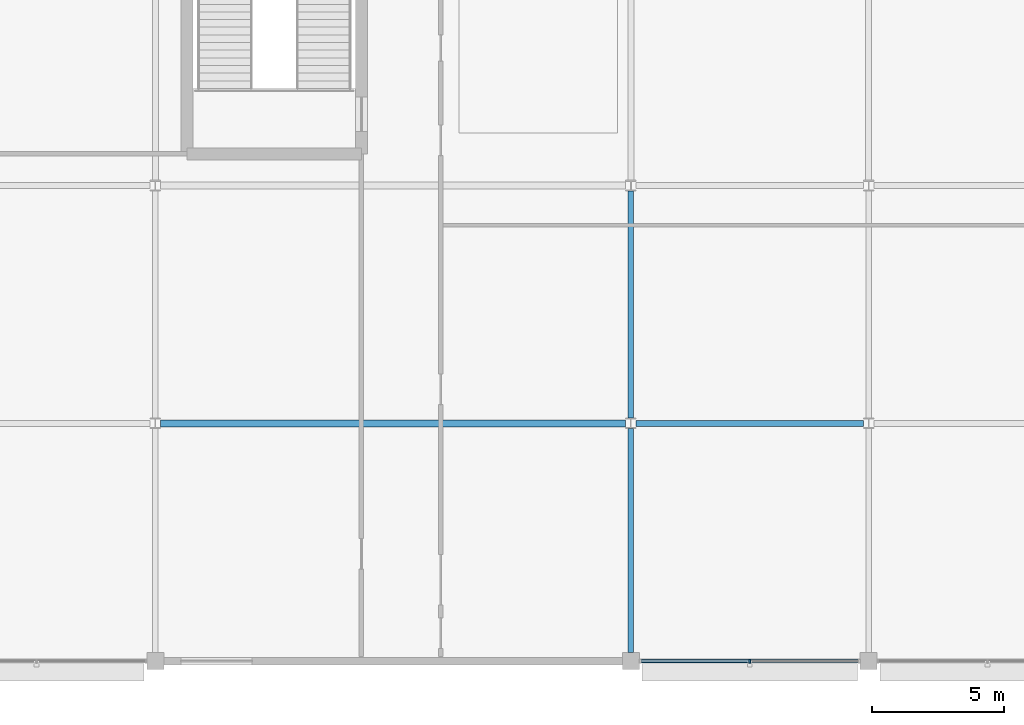
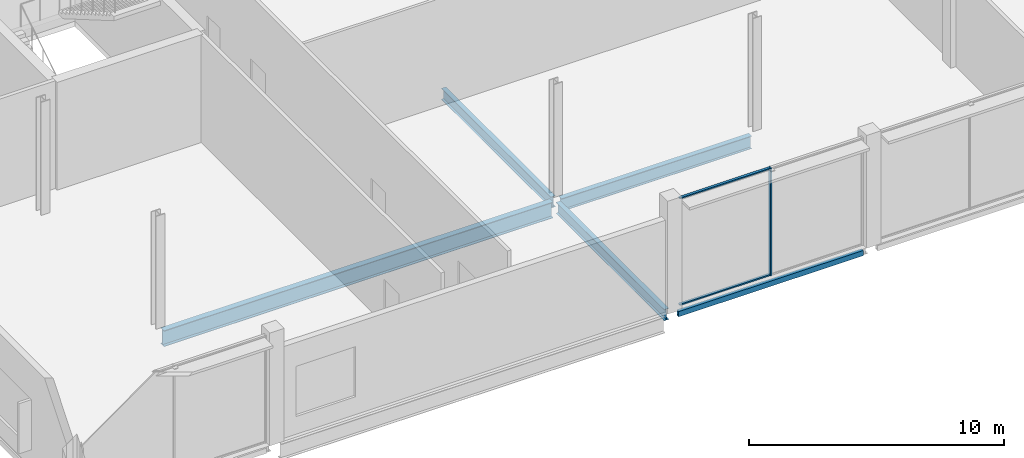
# One storey, part 13 of 111: 5 beams, 3 members, 1 element without a shape of its own.
"""IFC4 building model written with IfcOpenShell, lengths in metres."""

from ifc_helpers import new_model, si_unit, direction, frame, origin, origin_2d, place, context, subcontext, project, spatial, rectangle, hollow_rectangle, i_section, extrude, material, layer, layer_set, material_profile, profile_set, type_object, element, aggregate, save


model = new_model("IFC4")

# Units and contexts
model_context = context("Model", 3, precision=1e-05, world=origin(), true_north=direction((0.0, 1.0)))
body_context = subcontext(model_context, "Body", "Model", "MODEL_VIEW")
ifc_project = project(units=[si_unit("LENGTHUNIT", "METRE"), si_unit("AREAUNIT", "SQUARE_METRE"), si_unit("VOLUMEUNIT", "CUBIC_METRE"), si_unit("PLANEANGLEUNIT", "RADIAN"), si_unit("MASSUNIT", "GRAM", prefix="KILO")], contexts=[model_context])

# Site, building, storey
site_placement = place(None, origin())
site = spatial("IfcSite", under=ifc_project, at=site_placement, CompositionType="ELEMENT")
building_placement = place(site_placement, origin())
building = spatial("IfcBuilding", under=site, at=building_placement, Name="Kisiwana Market Hall", CompositionType="ELEMENT")
storey_placement = place(building_placement, frame((0.0, 0.0, 11.39990234375)))
storey = spatial("IfcBuildingStorey", under=building, at=storey_placement, Name="L02", CompositionType="ELEMENT", Elevation=11.39990234375)

# Beams
ifc_material_1 = material(Name="Steel S355", Category="steel")
ifc_material_profile_1 = material_profile(ifc_material_1, i_section(OverallWidth=0.209228515625, OverallDepth=0.533203125, WebThickness=0.010009765625, FlangeThickness=0.015625, at=origin_2d()), Name="UB 533x210x92")
ifc_profile_set_1 = profile_set([ifc_material_profile_1], Name="Steel S355")
beam_type_1 = type_object("IfcBeamType", Name="BM-GIRD-UB533", PredefinedType="BEAM", material=ifc_profile_set_1)
beam_1_placement = place(storey_placement, frame((27.0, 0.321044921875, -0.516357421875), z_axis=(0.0, 1.0, 0.0), x_axis=(-1.0, 0.0, 0.0)))
element("IfcBeam", 1, at=beam_1_placement, inside=storey, type_object=beam_type_1, Name="Primary girder B-0609", PredefinedType="BEAM", context=body_context, shape_type="SweptSolid", body=[
    extrude(i_section(OverallWidth=0.209228515625, OverallDepth=0.533203125, WebThickness=0.010009765625, FlangeThickness=0.015625, at=origin_2d()), origin(), (0.0, 0.0, 1.0), 8.479736328125),
])
beam_2_placement = place(storey_placement, frame((27.0, 9.19921875, -0.516357421875), z_axis=(0.0, 1.0, 0.0), x_axis=(-1.0, 0.0, 0.0)))
element("IfcBeam", 2, at=beam_2_placement, inside=storey, type_object=beam_type_1, Name="Primary girder B-0610", PredefinedType="BEAM", context=body_context, shape_type="SweptSolid", body=[
    extrude(i_section(OverallWidth=0.209228515625, OverallDepth=0.533203125, WebThickness=0.010009765625, FlangeThickness=0.015625, at=origin_2d()), origin(), (0.0, 0.0, 1.0), 8.58740234375),
])
ifc_material_2 = material(Name="Steel S355", Category="steel")
ifc_material_profile_2 = material_profile(ifc_material_2, i_section(OverallWidth=0.22900390625, OverallDepth=0.6123046875, WebThickness=0.011962890625, FlangeThickness=0.01953125, at=origin_2d()), Name="UB 610x229x125")
ifc_profile_set_2 = profile_set([ifc_material_profile_2], Name="Steel S355")
beam_type_2 = type_object("IfcBeamType", Name="BM-GIRD-UB610H", PredefinedType="BEAM", material=ifc_profile_set_2)
beam_3_placement = place(storey_placement, frame((27.197509765625, 9.0, -0.555908203125), z_axis=(1.0, 0.0, 0.0), x_axis=(0.0, 1.0, 0.0)))
element("IfcBeam", 3, at=beam_3_placement, inside=storey, type_object=beam_type_2, Name="Floor beam B-0735", PredefinedType="BEAM", context=body_context, shape_type="SweptSolid", body=[
    extrude(i_section(OverallWidth=0.22900390625, OverallDepth=0.6123046875, WebThickness=0.011962890625, FlangeThickness=0.01953125, at=origin_2d()), origin(), (0.0, 0.0, 1.0), 8.60498046875),
])
ifc_material_3 = material(Name="Steel S355", Category="steel")
ifc_material_profile_3 = material_profile(ifc_material_3, i_section(OverallWidth=0.2666015625, OverallDepth=0.76220703125, WebThickness=0.014404296875, FlangeThickness=0.021484375, at=origin_2d()), Name="UB 762x267x173")
ifc_profile_set_3 = profile_set([ifc_material_profile_3], Name="Steel S355")
beam_type_3 = type_object("IfcBeamType", Name="BM-GIRD-UB762", PredefinedType="BEAM", material=ifc_profile_set_3)
beam_4_placement = place(storey_placement, frame((9.197509765625, 9.0, -0.631103515625), z_axis=(1.0, 0.0, 0.0), x_axis=(0.0, 1.0, 0.0)))
element("IfcBeam", 4, at=beam_4_placement, inside=storey, type_object=beam_type_3, Name="Floor beam B-0734", PredefinedType="BEAM", context=body_context, shape_type="SweptSolid", body=[
    extrude(i_section(OverallWidth=0.2666015625, OverallDepth=0.76220703125, WebThickness=0.014404296875, FlangeThickness=0.021484375, at=origin_2d()), origin(), (0.0, 0.0, 1.0), 17.60498046875),
])
ifc_material_4 = material(Name="Steel S355", Category="steel")
ifc_material_profile_4 = material_profile(ifc_material_4, hollow_rectangle(XDim=0.14990234375, YDim=0.25, WallThickness=0.010009765625, at=origin_2d()), Name="RHS 250x150x10.0")
ifc_profile_set_4 = profile_set([ifc_material_profile_4], Name="Steel S355")
beam_type_4 = type_object("IfcBeamType", Name="BM-SPAN-RHS250", PredefinedType="SPANDREL", material=ifc_profile_set_4)
beam_5_placement = place(storey_placement, frame((27.321044921875, 0.0, -0.375), z_axis=(1.0, 0.0, 0.0), x_axis=(0.0, 1.0, 0.0)))
element("IfcBeam", 5, at=beam_5_placement, inside=storey, type_object=beam_type_4, Name="Floor beam B-0721", PredefinedType="SPANDREL", context=body_context, shape_type="SweptSolid", body=[
    extrude(hollow_rectangle(XDim=0.14990234375, YDim=0.25, WallThickness=0.010009765625, at=origin_2d()), origin(), (0.0, 0.0, 1.0), 8.35791015625),
])

# Curtain wall, members
ifc_material_5 = material(Name="Double-glazed solar-control low-E IGU", Category="glass")
ifc_layer = layer(ifc_material_5, 0.159912109375)
ifc_layer_set = layer_set([ifc_layer], Name="CW-GLD-W-6400")
curtain_wall_type = type_object("IfcCurtainWallType", Name="CW-GLD-W-6400", PredefinedType="USERDEFINED", material=ifc_layer_set)
curtain_wall_placement = place(storey_placement, origin())
curtain_wall = element("IfcCurtainWall", 6, at=curtain_wall_placement, inside=storey, type_object=curtain_wall_type, Name="Unitised curtain wall CW-054 (L02)", ObjectType="UNITISED CURTAIN WALL", PredefinedType="USERDEFINED")
ifc_material_6 = material(Name="Aluminium alloy 6063-T6", Category="aluminium")
ifc_material_profile_5 = material_profile(ifc_material_6, rectangle(XDim=0.06005859375, YDim=0.159912109375, at=origin_2d()), Name="ALU MULLION 60x160")
ifc_profile_set_5 = profile_set([ifc_material_profile_5], Name="Aluminium alloy 6063-T6")
member_type_1 = type_object("IfcMemberType", Name="CW-MULL-60x160", PredefinedType="MULLION", material=ifc_profile_set_5)
member_1_placement = place(storey_placement, frame((31.5, 0.0, 0.0), z_axis=(0.0, 0.0, 1.0), x_axis=(1.0, 0.0, 0.0)))
member_1 = element("IfcMember", 7, at=member_1_placement, type_object=member_type_1, Name="CW-054 mullion 2", PredefinedType="MULLION", context=body_context, shape_type="SweptSolid", body=[
    extrude(rectangle(XDim=0.06005859375, YDim=0.159912109375, at=origin_2d()), origin(), (0.0, 0.0, 1.0), 5.150146484375),
])
ifc_material_7 = material(Name="Aluminium alloy 6063-T6", Category="aluminium")
ifc_material_profile_6 = material_profile(ifc_material_7, rectangle(XDim=0.1201171875, YDim=0.06005859375, at=origin_2d()), Name="ALU TRANSOM 60x120")
ifc_profile_set_6 = profile_set([ifc_material_profile_6], Name="Aluminium alloy 6063-T6")
member_type_2 = type_object("IfcMemberType", Name="CW-TRAN-60x120", PredefinedType="USERDEFINED", material=ifc_profile_set_6)
member_2_placement = place(storey_placement, frame((27.385009765625, 0.0, 0.030029296875), z_axis=(1.0, 0.0, 0.0), x_axis=(0.0, 1.0, 0.0)))
member_2 = element("IfcMember", 8, at=member_2_placement, type_object=member_type_2, Name="CW-054 transom 1.1", ObjectType="TRANSOM", PredefinedType="USERDEFINED", context=body_context, shape_type="SweptSolid", body=[
    extrude(rectangle(XDim=0.1201171875, YDim=0.06005859375, at=origin_2d()), origin(), (0.0, 0.0, 1.0), 4.0849609375),
])
member_3_placement = place(storey_placement, frame((27.385009765625, 0.0, 5.1201171875), z_axis=(1.0, 0.0, 0.0), x_axis=(0.0, 1.0, 0.0)))
member_3 = element("IfcMember", 9, at=member_3_placement, type_object=member_type_2, Name="CW-054 transom 1.2", ObjectType="TRANSOM", PredefinedType="USERDEFINED", context=body_context, shape_type="SweptSolid", body=[
    extrude(rectangle(XDim=0.1201171875, YDim=0.06005859375, at=origin_2d()), origin(), (0.0, 0.0, 1.0), 4.0849609375),
])
aggregate(curtain_wall, [member_1, member_2, member_3])

save(model, "model.ifc")
